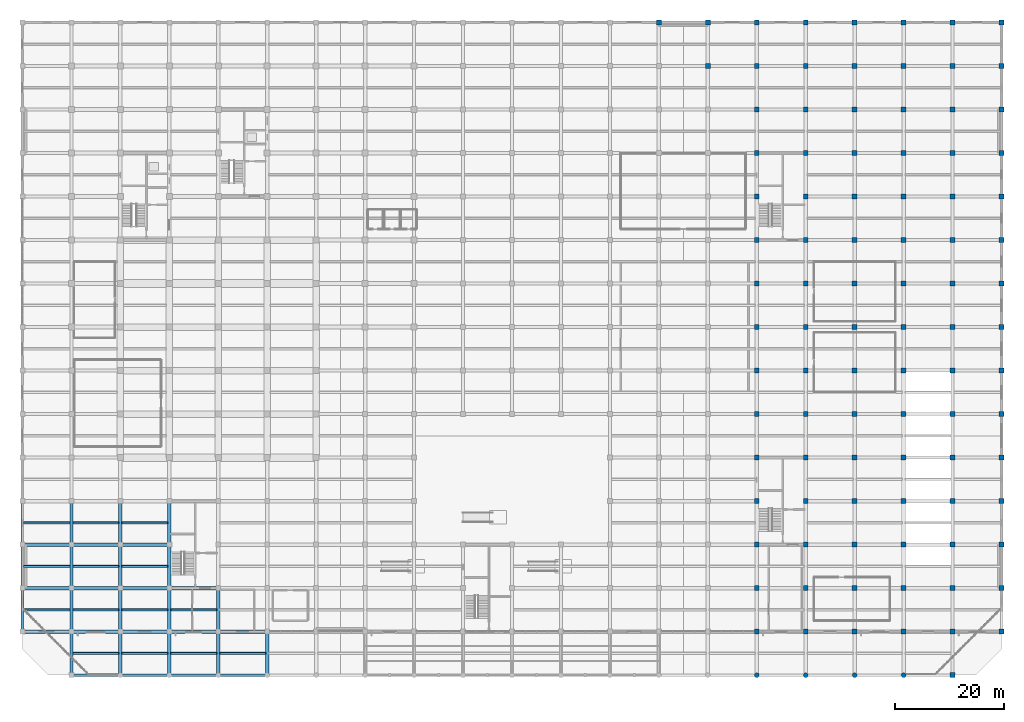
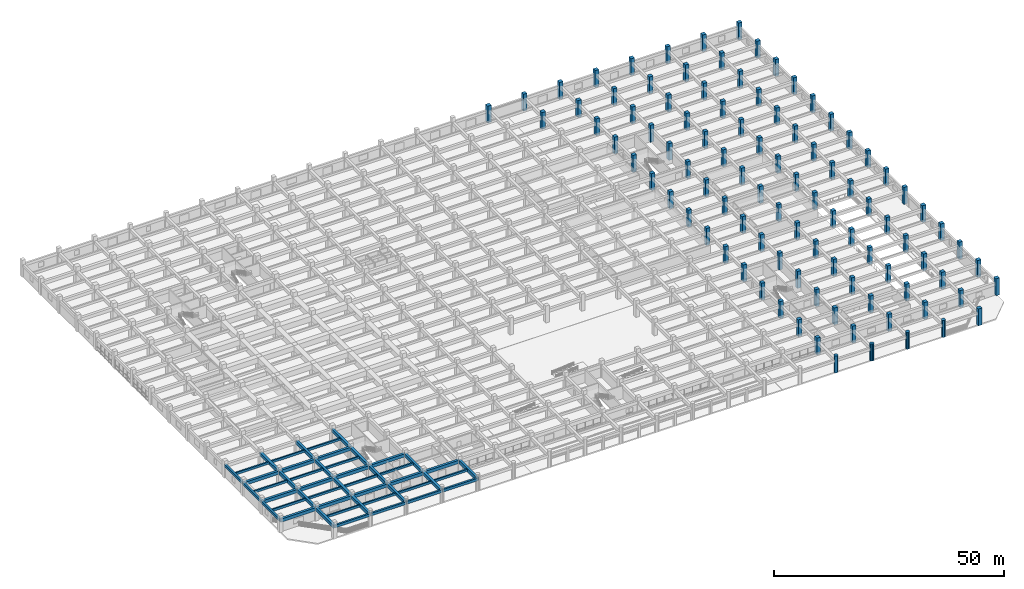
# One storey, part 2 of 40: 98 columns, 48 beams.
"""IFC4 building model written with IfcOpenShell, lengths in metres."""

from ifc_helpers import new_model, si_unit, direction, frame, origin, origin_2d, place, context, subcontext, project, spatial, rectangle, circle, extrude, material, material_profile, profile_set, type_object, element, save


model = new_model("IFC4")

# Units and contexts
model_context = context("Model", 3, precision=1e-05, world=origin(), true_north=direction((0.0, 1.0)))
body_context = subcontext(model_context, "Body", "Model", "MODEL_VIEW")
ifc_project = project(units=[si_unit("LENGTHUNIT", "METRE"), si_unit("AREAUNIT", "SQUARE_METRE"), si_unit("VOLUMEUNIT", "CUBIC_METRE"), si_unit("PLANEANGLEUNIT", "RADIAN"), si_unit("MASSUNIT", "GRAM", prefix="KILO")], contexts=[model_context])

# Site, building, storey
site_placement = place(None, origin())
site = spatial("IfcSite", under=ifc_project, at=site_placement, CompositionType="ELEMENT")
building_placement = place(site_placement, origin())
building = spatial("IfcBuilding", under=site, at=building_placement, Name="Zaverband Oceanarium and Marine Research Institute", CompositionType="ELEMENT")
storey_placement = place(building_placement, origin())
storey = spatial("IfcBuildingStorey", under=building, at=storey_placement, Name="L00", CompositionType="ELEMENT", Elevation=0.0)

# Columns
ifc_material_1 = material(Name="Concrete C50/60", Category="concrete")
ifc_material_profile_1 = material_profile(ifc_material_1, rectangle(XDim=0.89990234375, YDim=0.89990234375, at=origin_2d()), Name="RC900x900")
ifc_profile_set_1 = profile_set([ifc_material_profile_1], Name="Concrete C50/60")
column_type_1 = type_object("IfcColumnType", Name="COL-C900", PredefinedType="COLUMN", material=ifc_profile_set_1)
for number, where, z_axis, x_axis, name in (
    (1, (117.0, 120.0, 0.0), (0.0, 0.0, 1.0), (1.0, 0.0, 0.0), "Reinforced concrete column RC900x900 COL-C900"),
    (2, (126.0, 112.0, 0.0), (0.0, 0.0, 1.0), (1.0, 0.0, 0.0), "Reinforced concrete column RC900x900 COL-C900"),
    (3, (126.0, 120.0, 0.0), (0.0, 0.0, 1.0), (1.0, 0.0, 0.0), "Reinforced concrete column RC900x900 COL-C900"),
    (4, (135.0, 8.0, 0.0), (0.0, 0.0, 1.0), (1.0, 0.0, 0.0), "Reinforced concrete column RC900x900 COL-C900"),
    (5, (135.0, 16.0, 0.0), (0.0, 0.0, 1.0), (1.0, 0.0, 0.0), "Reinforced concrete column RC900x900 COL-C900"),
    (6, (135.0, 24.0, 0.0), (0.0, 0.0, 1.0), (1.0, 0.0, 0.0), "Reinforced concrete column RC900x900 COL-C900"),
    (7, (135.0, 32.0, 0.0), (0.0, 0.0, 1.0), (1.0, 0.0, 0.0), "Reinforced concrete column RC900x900 COL-C900"),
    (8, (135.0, 40.0, 0.0), (0.0, 0.0, 1.0), (1.0, 0.0, 0.0), "Reinforced concrete column RC900x900 COL-C900"),
    (9, (135.0, 48.0, 0.0), (0.0, 0.0, 1.0), (1.0, 0.0, 0.0), "Reinforced concrete column RC900x900 COL-C900"),
    (10, (135.0, 56.0, 0.0), (0.0, 0.0, 1.0), (1.0, 0.0, 0.0), "Reinforced concrete column RC900x900 COL-C900"),
    (11, (135.0, 64.0, 0.0), (0.0, 0.0, 1.0), (1.0, 0.0, 0.0), "Reinforced concrete column RC900x900 COL-C900"),
    (12, (135.0, 72.0, 0.0), (0.0, 0.0, 1.0), (1.0, 0.0, 0.0), "Reinforced concrete column RC900x900 COL-C900"),
    (13, (135.0, 80.0, 0.0), (0.0, 0.0, 1.0), (1.0, 0.0, 0.0), "Reinforced concrete column RC900x900 COL-C900"),
    (14, (135.0, 88.0, 0.0), (0.0, 0.0, 1.0), (1.0, 0.0, 0.0), "Reinforced concrete column RC900x900 COL-C900"),
    (15, (135.0, 96.0, 0.0), (0.0, 0.0, 1.0), (1.0, 0.0, 0.0), "Reinforced concrete column RC900x900 COL-C900"),
    (16, (135.0, 104.0, 0.0), (0.0, 0.0, 1.0), (1.0, 0.0, 0.0), "Reinforced concrete column RC900x900 COL-C900"),
    (17, (135.0, 112.0, 0.0), (0.0, 0.0, 1.0), (1.0, 0.0, 0.0), "Reinforced concrete column RC900x900 COL-C900"),
    (18, (135.0, 120.0, 0.0), (0.0, 0.0, 1.0), (1.0, 0.0, 0.0), "Reinforced concrete column RC900x900 COL-C900"),
    (19, (144.0, 8.0, 0.0), (0.0, 0.0, 1.0), (1.0, 0.0, 0.0), "Reinforced concrete column RC900x900 COL-C900"),
    (20, (144.0, 16.0, 0.0), (0.0, 0.0, 1.0), (1.0, 0.0, 0.0), "Reinforced concrete column RC900x900 COL-C900"),
    (21, (144.0, 24.0, 0.0), (0.0, 0.0, 1.0), (1.0, 0.0, 0.0), "Reinforced concrete column RC900x900 COL-C900"),
    (22, (144.0, 32.0, 0.0), (0.0, 0.0, 1.0), (1.0, 0.0, 0.0), "Reinforced concrete column RC900x900 COL-C900"),
    (23, (144.0, 40.0, 0.0), (0.0, 0.0, 1.0), (1.0, 0.0, 0.0), "Reinforced concrete column RC900x900 COL-C900"),
    (24, (144.0, 48.0, 0.0), (0.0, 0.0, 1.0), (1.0, 0.0, 0.0), "Reinforced concrete column RC900x900 COL-C900"),
    (25, (144.0, 56.0, 0.0), (0.0, 0.0, 1.0), (1.0, 0.0, 0.0), "Reinforced concrete column RC900x900 COL-C900"),
    (26, (144.0, 64.0, 0.0), (0.0, 0.0, 1.0), (1.0, 0.0, 0.0), "Reinforced concrete column RC900x900 COL-C900"),
    (27, (144.0, 72.0, 0.0), (0.0, 0.0, 1.0), (1.0, 0.0, 0.0), "Reinforced concrete column RC900x900 COL-C900"),
    (28, (144.0, 80.0, 0.0), (0.0, 0.0, 1.0), (1.0, 0.0, 0.0), "Reinforced concrete column RC900x900 COL-C900"),
    (29, (144.0, 88.0, 0.0), (0.0, 0.0, 1.0), (1.0, 0.0, 0.0), "Reinforced concrete column RC900x900 COL-C900"),
    (30, (144.0, 96.0, 0.0), (0.0, 0.0, 1.0), (1.0, 0.0, 0.0), "Reinforced concrete column RC900x900 COL-C900"),
    (31, (144.0, 104.0, 0.0), (0.0, 0.0, 1.0), (1.0, 0.0, 0.0), "Reinforced concrete column RC900x900 COL-C900"),
    (32, (144.0, 112.0, 0.0), (0.0, 0.0, 1.0), (1.0, 0.0, 0.0), "Reinforced concrete column RC900x900 COL-C900"),
    (33, (144.0, 120.0, 0.0), (0.0, 0.0, 1.0), (1.0, 0.0, 0.0), "Reinforced concrete column RC900x900 COL-C900"),
    (34, (153.0, 8.0, 0.0), (0.0, 0.0, 1.0), (1.0, 0.0, 0.0), "Reinforced concrete column RC900x900 COL-C900"),
    (35, (153.0, 16.0, 0.0), (0.0, 0.0, 1.0), (1.0, 0.0, 0.0), "Reinforced concrete column RC900x900 COL-C900"),
    (36, (153.0, 24.0, 0.0), (0.0, 0.0, 1.0), (1.0, 0.0, 0.0), "Reinforced concrete column RC900x900 COL-C900"),
    (37, (153.0, 32.0, 0.0), (0.0, 0.0, 1.0), (1.0, 0.0, 0.0), "Reinforced concrete column RC900x900 COL-C900"),
    (38, (153.0, 40.0, 0.0), (0.0, 0.0, 1.0), (1.0, 0.0, 0.0), "Reinforced concrete column RC900x900 COL-C900"),
    (39, (153.0, 48.0, 0.0), (0.0, 0.0, 1.0), (1.0, 0.0, 0.0), "Reinforced concrete column RC900x900 COL-C900"),
    (40, (153.0, 56.0, 0.0), (0.0, 0.0, 1.0), (1.0, 0.0, 0.0), "Reinforced concrete column RC900x900 COL-C900"),
    (41, (153.0, 64.0, 0.0), (0.0, 0.0, 1.0), (1.0, 0.0, 0.0), "Reinforced concrete column RC900x900 COL-C900"),
    (42, (153.0, 72.0, 0.0), (0.0, 0.0, 1.0), (1.0, 0.0, 0.0), "Reinforced concrete column RC900x900 COL-C900"),
    (43, (153.0, 80.0, 0.0), (0.0, 0.0, 1.0), (1.0, 0.0, 0.0), "Reinforced concrete column RC900x900 COL-C900"),
    (44, (153.0, 88.0, 0.0), (0.0, 0.0, 1.0), (1.0, 0.0, 0.0), "Reinforced concrete column RC900x900 COL-C900"),
    (45, (153.0, 96.0, 0.0), (0.0, 0.0, 1.0), (1.0, 0.0, 0.0), "Reinforced concrete column RC900x900 COL-C900"),
    (46, (153.0, 104.0, 0.0), (0.0, 0.0, 1.0), (1.0, 0.0, 0.0), "Reinforced concrete column RC900x900 COL-C900"),
    (47, (153.0, 112.0, 0.0), (0.0, 0.0, 1.0), (1.0, 0.0, 0.0), "Reinforced concrete column RC900x900 COL-C900"),
    (48, (153.0, 120.0, 0.0), (0.0, 0.0, 1.0), (1.0, 0.0, 0.0), "Reinforced concrete column RC900x900 COL-C900"),
    (49, (162.0, 8.0, 0.0), (0.0, 0.0, 1.0), (1.0, 0.0, 0.0), "Reinforced concrete column RC900x900 COL-C900"),
    (50, (162.0, 16.0, 0.0), (0.0, 0.0, 1.0), (1.0, 0.0, 0.0), "Reinforced concrete column RC900x900 COL-C900"),
    (51, (162.0, 24.0, 0.0), (0.0, 0.0, 1.0), (1.0, 0.0, 0.0), "Reinforced concrete column RC900x900 COL-C900"),
    (52, (162.0, 32.0, 0.0), (0.0, 0.0, 1.0), (1.0, 0.0, 0.0), "Reinforced concrete column RC900x900 COL-C900"),
    (53, (162.0, 40.0, 0.0), (0.0, 0.0, 1.0), (1.0, 0.0, 0.0), "Reinforced concrete column RC900x900 COL-C900"),
    (54, (162.0, 48.0, 0.0), (0.0, 0.0, 1.0), (1.0, 0.0, 0.0), "Reinforced concrete column RC900x900 COL-C900"),
    (55, (162.0, 56.0, 0.0), (0.0, 0.0, 1.0), (1.0, 0.0, 0.0), "Reinforced concrete column RC900x900 COL-C900"),
    (56, (162.0, 64.0, 0.0), (0.0, 0.0, 1.0), (1.0, 0.0, 0.0), "Reinforced concrete column RC900x900 COL-C900"),
    (57, (162.0, 72.0, 0.0), (0.0, 0.0, 1.0), (1.0, 0.0, 0.0), "Reinforced concrete column RC900x900 COL-C900"),
    (58, (162.0, 80.0, 0.0), (0.0, 0.0, 1.0), (1.0, 0.0, 0.0), "Reinforced concrete column RC900x900 COL-C900"),
    (59, (162.0, 88.0, 0.0), (0.0, 0.0, 1.0), (1.0, 0.0, 0.0), "Reinforced concrete column RC900x900 COL-C900"),
    (60, (162.0, 96.0, 0.0), (0.0, 0.0, 1.0), (1.0, 0.0, 0.0), "Reinforced concrete column RC900x900 COL-C900"),
    (61, (162.0, 104.0, 0.0), (0.0, 0.0, 1.0), (1.0, 0.0, 0.0), "Reinforced concrete column RC900x900 COL-C900"),
    (62, (162.0, 112.0, 0.0), (0.0, 0.0, 1.0), (1.0, 0.0, 0.0), "Reinforced concrete column RC900x900 COL-C900"),
    (63, (162.0, 120.0, 0.0), (0.0, 0.0, 1.0), (1.0, 0.0, 0.0), "Reinforced concrete column RC900x900 COL-C900"),
    (64, (171.0, 0.0, 0.0), (0.0, 0.0, 1.0), (1.0, 0.0, 0.0), "Reinforced concrete column RC900x900 COL-C900"),
    (65, (171.0, 8.0, 0.0), (0.0, 0.0, 1.0), (1.0, 0.0, 0.0), "Reinforced concrete column RC900x900 COL-C900"),
    (66, (171.0, 16.0, 0.0), (0.0, 0.0, 1.0), (1.0, 0.0, 0.0), "Reinforced concrete column RC900x900 COL-C900"),
    (67, (171.0, 24.0, 0.0), (0.0, 0.0, 1.0), (1.0, 0.0, 0.0), "Reinforced concrete column RC900x900 COL-C900"),
    (68, (171.0, 32.0, 0.0), (0.0, 0.0, 1.0), (1.0, 0.0, 0.0), "Reinforced concrete column RC900x900 COL-C900"),
    (69, (171.0, 40.0, 0.0), (0.0, 0.0, 1.0), (1.0, 0.0, 0.0), "Reinforced concrete column RC900x900 COL-C900"),
    (70, (171.0, 48.0, 0.0), (0.0, 0.0, 1.0), (1.0, 0.0, 0.0), "Reinforced concrete column RC900x900 COL-C900"),
    (71, (171.0, 56.0, 0.0), (0.0, 0.0, 1.0), (1.0, 0.0, 0.0), "Reinforced concrete column RC900x900 COL-C900"),
    (72, (171.0, 64.0, 0.0), (0.0, 0.0, 1.0), (1.0, 0.0, 0.0), "Reinforced concrete column RC900x900 COL-C900"),
    (73, (171.0, 72.0, 0.0), (0.0, 0.0, 1.0), (1.0, 0.0, 0.0), "Reinforced concrete column RC900x900 COL-C900"),
    (74, (171.0, 80.0, 0.0), (0.0, 0.0, 1.0), (1.0, 0.0, 0.0), "Reinforced concrete column RC900x900 COL-C900"),
    (75, (171.0, 88.0, 0.0), (0.0, 0.0, 1.0), (1.0, 0.0, 0.0), "Reinforced concrete column RC900x900 COL-C900"),
    (76, (171.0, 96.0, 0.0), (0.0, 0.0, 1.0), (1.0, 0.0, 0.0), "Reinforced concrete column RC900x900 COL-C900"),
    (77, (171.0, 104.0, 0.0), (0.0, 0.0, 1.0), (1.0, 0.0, 0.0), "Reinforced concrete column RC900x900 COL-C900"),
    (78, (171.0, 112.0, 0.0), (0.0, 0.0, 1.0), (1.0, 0.0, 0.0), "Reinforced concrete column RC900x900 COL-C900"),
    (79, (171.0, 120.0, 0.0), (0.0, 0.0, 1.0), (1.0, 0.0, 0.0), "Reinforced concrete column RC900x900 COL-C900"),
    (80, (180.0, 8.0, 0.0), (0.0, 0.0, 1.0), (1.0, 0.0, 0.0), "Reinforced concrete column RC900x900 COL-C900"),
    (81, (180.0, 16.0, 0.0), (0.0, 0.0, 1.0), (1.0, 0.0, 0.0), "Reinforced concrete column RC900x900 COL-C900"),
    (82, (180.0, 24.0, 0.0), (0.0, 0.0, 1.0), (1.0, 0.0, 0.0), "Reinforced concrete column RC900x900 COL-C900"),
    (83, (180.0, 32.0, 0.0), (0.0, 0.0, 1.0), (1.0, 0.0, 0.0), "Reinforced concrete column RC900x900 COL-C900"),
    (84, (180.0, 40.0, 0.0), (0.0, 0.0, 1.0), (1.0, 0.0, 0.0), "Reinforced concrete column RC900x900 COL-C900"),
    (85, (180.0, 48.0, 0.0), (0.0, 0.0, 1.0), (1.0, 0.0, 0.0), "Reinforced concrete column RC900x900 COL-C900"),
    (86, (180.0, 56.0, 0.0), (0.0, 0.0, 1.0), (1.0, 0.0, 0.0), "Reinforced concrete column RC900x900 COL-C900"),
    (87, (180.0, 64.0, 0.0), (0.0, 0.0, 1.0), (1.0, 0.0, 0.0), "Reinforced concrete column RC900x900 COL-C900"),
    (88, (180.0, 72.0, 0.0), (0.0, 0.0, 1.0), (1.0, 0.0, 0.0), "Reinforced concrete column RC900x900 COL-C900"),
    (89, (180.0, 80.0, 0.0), (0.0, 0.0, 1.0), (1.0, 0.0, 0.0), "Reinforced concrete column RC900x900 COL-C900"),
    (90, (180.0, 88.0, 0.0), (0.0, 0.0, 1.0), (1.0, 0.0, 0.0), "Reinforced concrete column RC900x900 COL-C900"),
    (91, (180.0, 96.0, 0.0), (0.0, 0.0, 1.0), (1.0, 0.0, 0.0), "Reinforced concrete column RC900x900 COL-C900"),
    (92, (180.0, 104.0, 0.0), (0.0, 0.0, 1.0), (1.0, 0.0, 0.0), "Reinforced concrete column RC900x900 COL-C900"),
    (93, (180.0, 112.0, 0.0), (0.0, 0.0, 1.0), (1.0, 0.0, 0.0), "Reinforced concrete column RC900x900 COL-C900"),
    (94, (180.0, 120.0, 0.0), (0.0, 0.0, 1.0), (1.0, 0.0, 0.0), "Reinforced concrete column RC900x900 COL-C900"),
):
    element("IfcColumn", number, at=place(storey_placement, frame(where, z_axis=z_axis, x_axis=x_axis)), inside=storey, type_object=column_type_1, Name=name, PredefinedType="COLUMN", context=body_context, shape_type="SweptSolid", body=[
        extrude(rectangle(XDim=0.89990234375, YDim=0.89990234375, at=origin_2d()), origin(), (0.0, 0.0, 1.0), 4.5),
    ])
ifc_material_profile_2 = material_profile(ifc_material_1, circle(Radius=0.449951171875, at=origin_2d()), Name="RCC900")
ifc_profile_set_2 = profile_set([ifc_material_profile_2], Name="Concrete C50/60")
column_type_2 = type_object("IfcColumnType", Name="COL-R900", PredefinedType="COLUMN", material=ifc_profile_set_2)
for number, where, z_axis, x_axis, name in (
    (95, (135.0, 0.0, 0.0), (0.0, 0.0, 1.0), (1.0, 0.0, 0.0), "Reinforced concrete column RCC900 COL-R900"),
    (96, (144.0, 0.0, 0.0), (0.0, 0.0, 1.0), (1.0, 0.0, 0.0), "Reinforced concrete column RCC900 COL-R900"),
    (97, (153.0, 0.0, 0.0), (0.0, 0.0, 1.0), (1.0, 0.0, 0.0), "Reinforced concrete column RCC900 COL-R900"),
    (98, (162.0, 0.0, 0.0), (0.0, 0.0, 1.0), (1.0, 0.0, 0.0), "Reinforced concrete column RCC900 COL-R900"),
):
    element("IfcColumn", number, at=place(storey_placement, frame(where, z_axis=z_axis, x_axis=x_axis)), inside=storey, type_object=column_type_2, Name=name, PredefinedType="COLUMN", context=body_context, shape_type="SweptSolid", body=[
        extrude(circle(Radius=0.449951171875, at=origin_2d()), origin(), (0.0, 0.0, 1.0), 4.5),
    ])

# Beams
ifc_material_2 = material(Name="Concrete C40/50", Category="concrete")
ifc_material_profile_3 = material_profile(ifc_material_2, rectangle(XDim=0.60009765625, YDim=0.85009765625, at=origin_2d()), Name="RC600x850")
ifc_profile_set_3 = profile_set([ifc_material_profile_3], Name="Concrete C40/50")
beam_type_1 = type_object("IfcBeamType", Name="BM-600x850", PredefinedType="BEAM", material=ifc_profile_set_3)
for number, where, z_axis, x_axis, name in (
    (99, (0.0, 8.0, 3.02490234375), (1.0, 0.0, 0.0), (0.0, 1.0, 0.0), "Primary floor girder BM-600x850"),
    (100, (9.0, 8.0, 3.02490234375), (1.0, 0.0, 0.0), (0.0, 1.0, 0.0), "Primary floor girder BM-600x850"),
    (101, (18.0, 8.0, 3.02490234375), (1.0, 0.0, 0.0), (0.0, 1.0, 0.0), "Primary floor girder BM-600x850"),
    (102, (27.0, 8.0, 3.02490234375), (1.0, 0.0, 0.0), (0.0, 1.0, 0.0), "Primary floor girder BM-600x850"),
    (103, (36.0, 8.0, 3.02490234375), (1.0, 0.0, 0.0), (0.0, 1.0, 0.0), "Primary floor girder BM-600x850"),
    (104, (0.0, 16.0, 3.02490234375), (1.0, 0.0, 0.0), (0.0, 1.0, 0.0), "Primary floor girder BM-600x850"),
    (105, (9.0, 16.0, 3.02490234375), (1.0, 0.0, 0.0), (0.0, 1.0, 0.0), "Primary floor girder BM-600x850"),
    (106, (18.0, 16.0, 3.02490234375), (1.0, 0.0, 0.0), (0.0, 1.0, 0.0), "Primary floor girder BM-600x850"),
    (107, (27.0, 16.0, 3.02490234375), (1.0, 0.0, 0.0), (0.0, 1.0, 0.0), "Primary floor girder BM-600x850"),
    (108, (0.0, 24.0, 3.02490234375), (1.0, 0.0, 0.0), (0.0, 1.0, 0.0), "Primary floor girder BM-600x850"),
    (109, (9.0, 24.0, 3.02490234375), (1.0, 0.0, 0.0), (0.0, 1.0, 0.0), "Primary floor girder BM-600x850"),
    (110, (18.0, 24.0, 3.02490234375), (1.0, 0.0, 0.0), (0.0, 1.0, 0.0), "Primary floor girder BM-600x850"),
):
    element("IfcBeam", number, at=place(storey_placement, frame(where, z_axis=z_axis, x_axis=x_axis)), inside=storey, type_object=beam_type_1, Name=name, PredefinedType="BEAM", context=body_context, shape_type="SweptSolid", body=[
        extrude(rectangle(XDim=0.60009765625, YDim=0.85009765625, at=origin_2d()), origin(), (0.0, 0.0, 1.0), 9.0),
    ])
for number, where, z_axis, x_axis, name in (
    (111, (9.0, 0.0, 3.02490234375), (0.0, 1.0, 0.0), (-1.0, 0.0, 0.0), "Primary floor girder BM-600x850"),
    (112, (9.0, 8.0, 3.02490234375), (0.0, 1.0, 0.0), (-1.0, 0.0, 0.0), "Primary floor girder BM-600x850"),
    (113, (9.0, 16.0, 3.02490234375), (0.0, 1.0, 0.0), (-1.0, 0.0, 0.0), "Primary floor girder BM-600x850"),
    (114, (9.0, 24.0, 3.02490234375), (0.0, 1.0, 0.0), (-1.0, 0.0, 0.0), "Primary floor girder BM-600x850"),
    (115, (18.0, 0.0, 3.02490234375), (0.0, 1.0, 0.0), (-1.0, 0.0, 0.0), "Primary floor girder BM-600x850"),
    (116, (18.0, 8.0, 3.02490234375), (0.0, 1.0, 0.0), (-1.0, 0.0, 0.0), "Primary floor girder BM-600x850"),
    (117, (18.0, 16.0, 3.02490234375), (0.0, 1.0, 0.0), (-1.0, 0.0, 0.0), "Primary floor girder BM-600x850"),
    (118, (18.0, 24.0, 3.02490234375), (0.0, 1.0, 0.0), (-1.0, 0.0, 0.0), "Primary floor girder BM-600x850"),
    (119, (27.0, 0.0, 3.02490234375), (0.0, 1.0, 0.0), (-1.0, 0.0, 0.0), "Primary floor girder BM-600x850"),
    (120, (27.0, 8.0, 3.02490234375), (0.0, 1.0, 0.0), (-1.0, 0.0, 0.0), "Primary floor girder BM-600x850"),
    (121, (27.0, 16.0, 3.02490234375), (0.0, 1.0, 0.0), (-1.0, 0.0, 0.0), "Primary floor girder BM-600x850"),
    (122, (27.0, 24.0, 3.02490234375), (0.0, 1.0, 0.0), (-1.0, 0.0, 0.0), "Primary floor girder BM-600x850"),
    (123, (36.0, 0.0, 3.02490234375), (0.0, 1.0, 0.0), (-1.0, 0.0, 0.0), "Primary floor girder BM-600x850"),
    (124, (36.0, 8.0, 3.02490234375), (0.0, 1.0, 0.0), (-1.0, 0.0, 0.0), "Primary floor girder BM-600x850"),
    (125, (45.0, 0.0, 3.02490234375), (0.0, 1.0, 0.0), (-1.0, 0.0, 0.0), "Primary floor girder BM-600x850"),
):
    element("IfcBeam", number, at=place(storey_placement, frame(where, z_axis=z_axis, x_axis=x_axis)), inside=storey, type_object=beam_type_1, Name=name, PredefinedType="BEAM", context=body_context, shape_type="SweptSolid", body=[
        extrude(rectangle(XDim=0.60009765625, YDim=0.85009765625, at=origin_2d()), origin(), (0.0, 0.0, 1.0), 8.0),
    ])
ifc_material_profile_4 = material_profile(ifc_material_2, rectangle(XDim=0.35009765625, YDim=0.60009765625, at=origin_2d()), Name="RC350x600")
ifc_profile_set_4 = profile_set([ifc_material_profile_4], Name="Concrete C40/50")
beam_type_2 = type_object("IfcBeamType", Name="JST-350x600", PredefinedType="JOIST", material=ifc_profile_set_4)
for number, where, z_axis, x_axis, name in (
    (126, (0.22509765625, 12.0, 3.14990234375), (1.0, 0.0, 0.0), (0.0, 1.0, 0.0), "Secondary floor joist JST-350x600"),
    (127, (0.22509765625, 20.0, 3.14990234375), (1.0, 0.0, 0.0), (0.0, 1.0, 0.0), "Secondary floor joist JST-350x600"),
    (128, (0.22509765625, 28.0, 3.14990234375), (1.0, 0.0, 0.0), (0.0, 1.0, 0.0), "Secondary floor joist JST-350x600"),
):
    element("IfcBeam", number, at=place(storey_placement, frame(where, z_axis=z_axis, x_axis=x_axis)), inside=storey, type_object=beam_type_2, Name=name, PredefinedType="JOIST", context=body_context, shape_type="SweptSolid", body=[
        extrude(rectangle(XDim=0.35009765625, YDim=0.60009765625, at=origin_2d()), origin(), (0.0, 0.0, 1.0), 8.474853515625),
    ])
for number, where, z_axis, x_axis, name in (
    (129, (9.300048828125, 4.0, 3.14990234375), (1.0, 0.0, 0.0), (0.0, 1.0, 0.0), "Secondary floor joist JST-350x600"),
    (130, (9.300048828125, 12.0, 3.14990234375), (1.0, 0.0, 0.0), (0.0, 1.0, 0.0), "Secondary floor joist JST-350x600"),
    (131, (9.300048828125, 20.0, 3.14990234375), (1.0, 0.0, 0.0), (0.0, 1.0, 0.0), "Secondary floor joist JST-350x600"),
    (132, (9.300048828125, 28.0, 3.14990234375), (1.0, 0.0, 0.0), (0.0, 1.0, 0.0), "Secondary floor joist JST-350x600"),
    (133, (18.300048828125, 4.0, 3.14990234375), (1.0, 0.0, 0.0), (0.0, 1.0, 0.0), "Secondary floor joist JST-350x600"),
    (134, (18.300048828125, 12.0, 3.14990234375), (1.0, 0.0, 0.0), (0.0, 1.0, 0.0), "Secondary floor joist JST-350x600"),
    (135, (18.300048828125, 20.0, 3.14990234375), (1.0, 0.0, 0.0), (0.0, 1.0, 0.0), "Secondary floor joist JST-350x600"),
    (136, (18.300048828125, 28.0, 3.14990234375), (1.0, 0.0, 0.0), (0.0, 1.0, 0.0), "Secondary floor joist JST-350x600"),
    (137, (27.300048828125, 4.0, 3.14990234375), (1.0, 0.0, 0.0), (0.0, 1.0, 0.0), "Secondary floor joist JST-350x600"),
    (138, (27.300048828125, 12.0, 3.14990234375), (1.0, 0.0, 0.0), (0.0, 1.0, 0.0), "Secondary floor joist JST-350x600"),
    (139, (36.300048828125, 4.0, 3.14990234375), (1.0, 0.0, 0.0), (0.0, 1.0, 0.0), "Secondary floor joist JST-350x600"),
):
    element("IfcBeam", number, at=place(storey_placement, frame(where, z_axis=z_axis, x_axis=x_axis)), inside=storey, type_object=beam_type_2, Name=name, PredefinedType="JOIST", context=body_context, shape_type="SweptSolid", body=[
        extrude(rectangle(XDim=0.35009765625, YDim=0.60009765625, at=origin_2d()), origin(), (0.0, 0.0, 1.0), 8.39990234375),
    ])
ifc_material_profile_5 = material_profile(ifc_material_2, rectangle(XDim=0.449951171875, YDim=0.699951171875, at=origin_2d()), Name="RC450x700")
ifc_profile_set_5 = profile_set([ifc_material_profile_5], Name="Concrete C40/50")
beam_type_3 = type_object("IfcBeamType", Name="SPN-450x700", PredefinedType="SPANDREL", material=ifc_profile_set_5)
for number, where, z_axis, x_axis, name in (
    (140, (9.0, 0.0, 3.10009765625), (1.0, 0.0, 0.0), (0.0, 1.0, 0.0), "Perimeter spandrel beam SPN-450x700"),
    (141, (18.0, 0.0, 3.10009765625), (1.0, 0.0, 0.0), (0.0, 1.0, 0.0), "Perimeter spandrel beam SPN-450x700"),
    (142, (27.0, 0.0, 3.10009765625), (1.0, 0.0, 0.0), (0.0, 1.0, 0.0), "Perimeter spandrel beam SPN-450x700"),
    (143, (36.0, 0.0, 3.10009765625), (1.0, 0.0, 0.0), (0.0, 1.0, 0.0), "Perimeter spandrel beam SPN-450x700"),
):
    element("IfcBeam", number, at=place(storey_placement, frame(where, z_axis=z_axis, x_axis=x_axis)), inside=storey, type_object=beam_type_3, Name=name, PredefinedType="SPANDREL", context=body_context, shape_type="SweptSolid", body=[
        extrude(rectangle(XDim=0.449951171875, YDim=0.699951171875, at=origin_2d()), origin(), (0.0, 0.0, 1.0), 9.0),
    ])
for number, where, z_axis, x_axis, name in (
    (144, (0.0, 8.0, 3.10009765625), (0.0, 1.0, 0.0), (-1.0, 0.0, 0.0), "Perimeter spandrel beam SPN-450x700"),
    (145, (0.0, 16.0, 3.10009765625), (0.0, 1.0, 0.0), (-1.0, 0.0, 0.0), "Perimeter spandrel beam SPN-450x700"),
    (146, (0.0, 24.0, 3.10009765625), (0.0, 1.0, 0.0), (-1.0, 0.0, 0.0), "Perimeter spandrel beam SPN-450x700"),
):
    element("IfcBeam", number, at=place(storey_placement, frame(where, z_axis=z_axis, x_axis=x_axis)), inside=storey, type_object=beam_type_3, Name=name, PredefinedType="SPANDREL", context=body_context, shape_type="SweptSolid", body=[
        extrude(rectangle(XDim=0.449951171875, YDim=0.699951171875, at=origin_2d()), origin(), (0.0, 0.0, 1.0), 8.0),
    ])

save(model, "model.ifc")
